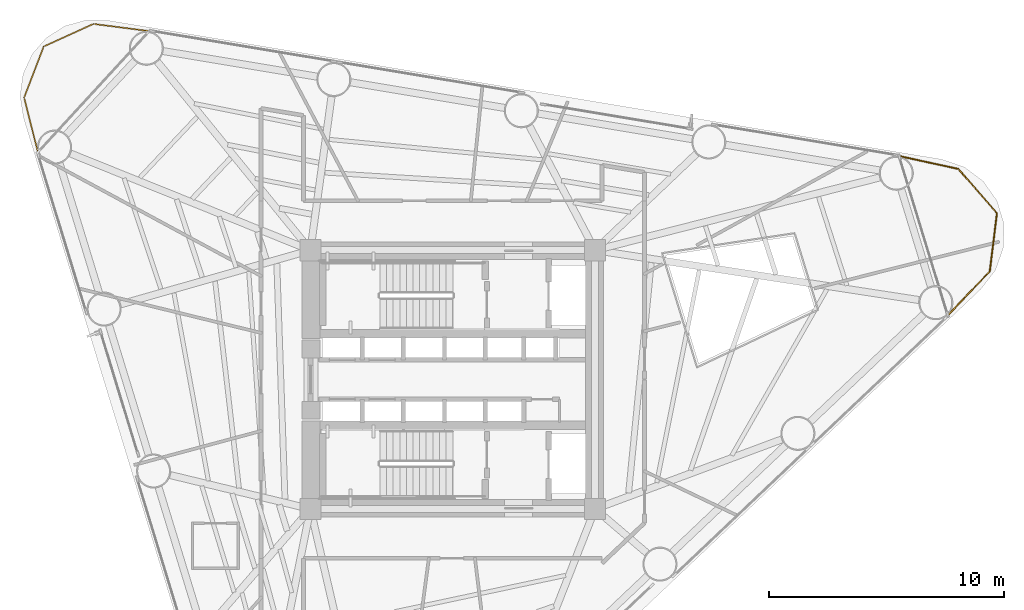
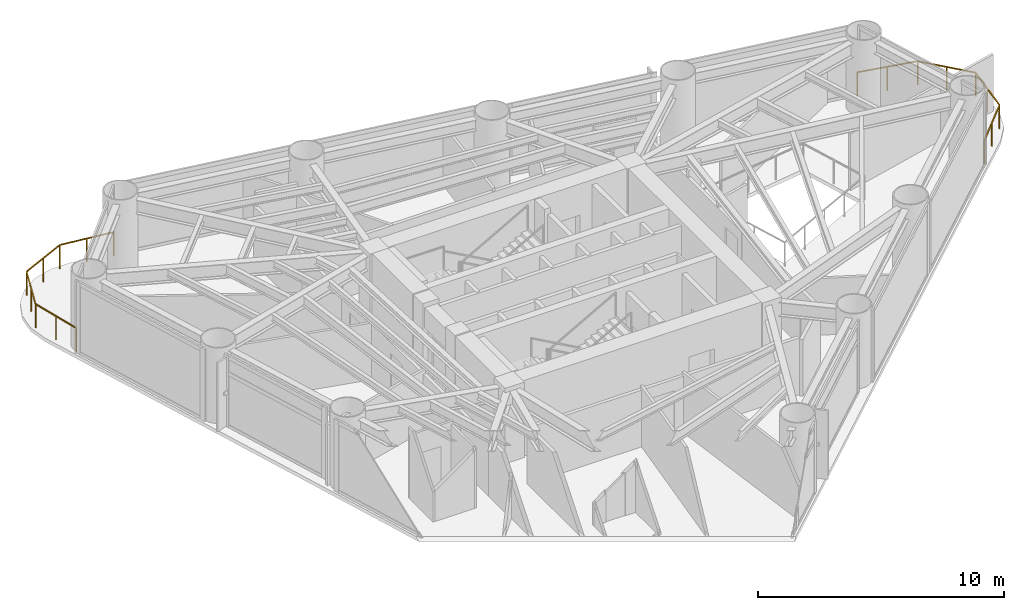
# One storey, part 10 of 10: 2 railings.
"""IFC4 building model written with IfcOpenShell, lengths in metres."""

import ifcopenshell
import ifcopenshell.guid

model = None  # the IFC model being written
_history = None  # IfcOwnerHistory: only IFC2X3 demands one
_inside = {}  # id of a spatial element -> (the spatial element, [elements in it])
_under = {}  # id of a project, library or spatial element -> (it, [spatial elements below it])
_declared = {}  # id of a project -> (the project, [libraries it declares])
_typed = {}  # id of a type object -> (the type object, [elements of that type])
_made_of = {}  # id of a material, layer set ... -> (it, [elements and type objects made of it])


def new_model(schema):
    """Start an empty IFC model of exactly this schema.

    Asked for "IFC4X3", IfcOpenShell would pick the latest addendum, in which some entities
    have other attributes; the version numbers below select the first issue.
    IFC2X3 requires an IfcOwnerHistory on every rooted entity: one is made here for all.
    """
    global model, _history
    if schema == "IFC4X3":
        model = ifcopenshell.file(schema_version=(4, 3, 0, 0))
    else:
        model = ifcopenshell.file(schema=schema)
    _inside.clear()
    _under.clear()
    _declared.clear()
    _typed.clear()
    _made_of.clear()
    _history = None
    if model.schema == "IFC2X3":
        org = make("IfcOrganization", Name="unknown")
        user = make(
            "IfcPersonAndOrganization",
            ThePerson=make("IfcPerson", FamilyName="unknown"),
            TheOrganization=org,
        )
        app = make(
            "IfcApplication",
            ApplicationDeveloper=org,
            Version="unknown",
            ApplicationFullName="unknown",
            ApplicationIdentifier="unknown",
        )
        _history = make(
            "IfcOwnerHistory",
            OwningUser=user,
            OwningApplication=app,
            ChangeAction="ADDED",
            CreationDate=0,
        )
    return model


def make(cls, **values):
    """One entity of the class cls with the attributes given. An attribute that is None is left unset."""
    return model.create_entity(
        cls, **{name: value for name, value in values.items() if value is not None}
    )


def rooted(cls, **values):
    """An entity with a GlobalId (a new one), such as an element, a storey or a relation."""
    return make(cls, GlobalId=ifcopenshell.guid.new(), OwnerHistory=_history, **values)


def si_unit(unit_type, name, prefix=None):
    """IfcSIUnit, for example si_unit("LENGTHUNIT", "METRE", prefix="MILLI")."""
    return make("IfcSIUnit", UnitType=unit_type, Prefix=prefix, Name=name)


def assignment(units):
    """IfcUnitAssignment: the units of a project."""
    return None if units is None else make("IfcUnitAssignment", Units=units)


def point(xyz):
    """IfcCartesianPoint."""
    return None if xyz is None else make("IfcCartesianPoint", Coordinates=xyz)


def direction(xyz):
    """IfcDirection."""
    return None if xyz is None else make("IfcDirection", DirectionRatios=xyz)


def frame(location, z_axis=None, x_axis=None):
    """IfcAxis2Placement3D, a coordinate frame: its origin and axes. An axis left out is left unset."""
    return make(
        "IfcAxis2Placement3D",
        Location=point(location),
        Axis=direction(z_axis),
        RefDirection=direction(x_axis),
    )


def frame_2d(location, x_axis=None):
    """IfcAxis2Placement2D, a coordinate frame in the plane: its origin and x axis."""
    return make(
        "IfcAxis2Placement2D", Location=point(location), RefDirection=direction(x_axis)
    )


def origin():
    """The frame at (0, 0, 0) with its axes left unset."""
    return frame((0.0, 0.0, 0.0))


def origin_2d():
    """The frame at (0, 0) in the plane with its x axis left unset."""
    return frame_2d((0.0, 0.0))


def place(relative_to, where):
    """IfcLocalPlacement: puts the frame where relative to a parent placement (None: the world)."""
    return make(
        "IfcLocalPlacement", PlacementRelTo=relative_to, RelativePlacement=where
    )


def context(
    kind, dimensions, precision=None, world=None, true_north=None, identifier=None
):
    """IfcGeometricRepresentationContext, for example the 3D "Model" context."""
    return make(
        "IfcGeometricRepresentationContext",
        ContextIdentifier=identifier,
        ContextType=kind,
        CoordinateSpaceDimension=dimensions,
        Precision=precision,
        WorldCoordinateSystem=world,
        TrueNorth=true_north,
    )


def subcontext(parent, identifier, kind, view, scale=None):
    """IfcGeometricRepresentationSubContext, for example "Body" below "Model"."""
    return make(
        "IfcGeometricRepresentationSubContext",
        ContextIdentifier=identifier,
        ContextType=kind,
        ParentContext=parent,
        TargetScale=scale,
        TargetView=view,
    )


def project(units=None, contexts=None):
    """IfcProject with its units and contexts."""
    return rooted(
        "IfcProject",
        Name="project",
        RepresentationContexts=contexts,
        UnitsInContext=assignment(units),
    )


def spatial(cls, under=None, at=None, **own):
    """A site, building, storey or space (cls), placed at a placement, below another one or the project."""
    s = rooted(cls, ObjectPlacement=at, **own)
    if under is not None:
        _under.setdefault(under.id(), (under, []))[1].append(s)
    return s


def profile(cls, at=None, kind="AREA", **sizes):
    """A parametric profile (cls). Its sizes go by their IFC names, for example OverallWidth=200.0."""
    return make(cls, ProfileType=kind, Position=at, **sizes)


def rectangle(**sizes):
    """IfcRectangleProfileDef."""
    return profile("IfcRectangleProfileDef", **sizes)


def extrude(swept, where, along, depth):
    """IfcExtrudedAreaSolid: the profile swept, set in the frame where, extruded along a direction by depth."""
    return make(
        "IfcExtrudedAreaSolid",
        SweptArea=swept,
        Position=where,
        ExtrudedDirection=direction(along),
        Depth=depth,
    )


def shape(context_of_items, identifier, shape_type, items):
    """IfcShapeRepresentation: the items that make up one representation, for example the "Body"."""
    return make(
        "IfcShapeRepresentation",
        ContextOfItems=context_of_items,
        RepresentationIdentifier=identifier,
        RepresentationType=shape_type,
        Items=items,
    )


def material(Name=None, Category=None):
    """IfcMaterial."""
    return make("IfcMaterial", Name=Name, Category=Category)


def made_of(thing, what):
    """Note that an element or type object is made of a material, layer set ...; save() writes the relation."""
    if what is not None:
        _made_of.setdefault(what.id(), (what, []))[1].append(thing)
    return thing


def type_object(cls, material=None, **own):
    """A type object (cls), such as IfcWallType, which elements share."""
    return made_of(rooted(cls, **own), material)


def element(
    cls,
    number,
    at=None,
    inside=None,
    cuts=None,
    type_object=None,
    material=None,
    context=None,
    identifier="Body",
    shape_type=None,
    held_by="IfcProductDefinitionShape",
    body=None,
    shapes=None,
    **own,
):
    """One element of the class cls, such as IfcWall. Its Tag is "e" and its number.

    at: its placement. inside: the storey or other place that contains it. cuts: it is an
    opening in that element (IfcRelVoidsElement). A single representation is given by context,
    identifier, shape_type and body (its items); several are given by shapes. held_by: the class
    of the entity that holds the representations. save() writes the other relations.
    """
    e = rooted(cls, Tag="e%d" % number, ObjectPlacement=at, **own)
    if body is not None:
        shapes = [shape(context, identifier, shape_type, body)]
    if shapes is not None:
        e.Representation = make(held_by, Representations=shapes)
    if inside is not None:
        _inside.setdefault(inside.id(), (inside, []))[1].append(e)
    if cuts is not None:
        rooted(
            "IfcRelVoidsElement", RelatingBuildingElement=cuts, RelatedOpeningElement=e
        )
    if type_object is not None:
        _typed.setdefault(type_object.id(), (type_object, []))[1].append(e)
    return made_of(e, material)


def aggregate(whole, parts):
    """IfcRelAggregates: a whole, such as a stair, and the parts it consists of."""
    return rooted("IfcRelAggregates", RelatingObject=whole, RelatedObjects=parts)


def save(model, path):
    """Write the relations noted so far, then the file.

    IfcRelAggregates (storeys below a building ...), IfcRelContainedInSpatialStructure (elements
    in a storey), IfcRelDefinesByType, IfcRelAssociatesMaterial and IfcRelDeclares: one each for
    every whole, place, type object, material and project.
    """
    for whole, parts in _under.values():
        aggregate(whole, parts)
    for where, things in _inside.values():
        rooted(
            "IfcRelContainedInSpatialStructure",
            RelatedElements=things,
            RelatingStructure=where,
        )
    for kind, things in _typed.values():
        rooted("IfcRelDefinesByType", RelatedObjects=things, RelatingType=kind)
    for what, things in _made_of.values():
        rooted("IfcRelAssociatesMaterial", RelatedObjects=things, RelatingMaterial=what)
    for by, libraries in _declared.values():
        rooted("IfcRelDeclares", RelatingContext=by, RelatedDefinitions=libraries)
    model.write(path)


model = new_model("IFC4")

# Units and contexts
model_context = context("Model", 3, precision=1e-05, world=origin(), true_north=direction((0.0, 1.0)))
body_context = subcontext(model_context, "Body", "Model", "MODEL_VIEW")
ifc_project = project(units=[si_unit("LENGTHUNIT", "METRE"), si_unit("AREAUNIT", "SQUARE_METRE"), si_unit("VOLUMEUNIT", "CUBIC_METRE"), si_unit("PLANEANGLEUNIT", "RADIAN"), si_unit("MASSUNIT", "GRAM", prefix="KILO")], contexts=[model_context])

# Site, building, storey
site_placement = place(None, origin())
site = spatial("IfcSite", under=ifc_project, at=site_placement, CompositionType="ELEMENT")
building_placement = place(site_placement, origin())
building = spatial("IfcBuilding", under=site, at=building_placement, Name="Yunling Apex Tower", CompositionType="ELEMENT")
storey_placement = place(building_placement, frame((0.0, 0.0, 116.14990234375)))
storey = spatial("IfcBuildingStorey", under=building, at=storey_placement, Name="L29", CompositionType="ELEMENT", Elevation=116.14990234375)

# Railings
ifc_material = material(Name="Bronze anodised aluminium", Category="aluminium")
railing_type = type_object("IfcRailingType", Name="RL-BAL-1200", PredefinedType="BALUSTRADE", material=ifc_material)
railing_1_placement = place(storey_placement, frame((18.976806640625, 9.5029296875, 0.0)))
element("IfcRailing", 1, at=railing_1_placement, inside=storey, type_object=railing_type, Name="RL-CRNSILL-L29-1", PredefinedType="BALUSTRADE", context=body_context, shape_type="SweptSolid", body=[
    extrude(rectangle(XDim=0.0439453125, YDim=0.0439453125, at=origin_2d()), origin(), (0.0, 0.0, 1.0), 1.199951171875),
    extrude(rectangle(XDim=0.0439453125, YDim=0.0439453125, at=origin_2d()), frame((2.5205078125, -0.54833984375, 0.0)), (0.0, 0.0, 1.0), 1.199951171875),
    extrude(rectangle(XDim=0.050048828125, YDim=0.050048828125, at=origin_2d()), frame((0.037353515625, -0.008056640625, 1.1748046875), z_axis=(0.977143892078, -0.212578959861, 0.0), x_axis=(0.212578959861, 0.977143892078, 0.0)), (0.0, 0.0, 1.0), 2.502685546875),
    extrude(rectangle(XDim=0.0439453125, YDim=0.0439453125, at=origin_2d()), frame((1.26025390625, -0.274169921875, 0.0)), (0.0, 0.0, 1.0), 1.14599609375),
    extrude(rectangle(XDim=0.0439453125, YDim=0.0439453125, at=origin_2d()), frame((4.156005859375, -2.430419921875, 0.0)), (0.0, 0.0, 1.0), 1.199951171875),
    extrude(rectangle(XDim=0.050048828125, YDim=0.050048828125, at=origin_2d()), frame((2.545654296875, -0.577392578125, 1.1748046875), z_axis=(0.655928991852, -0.754822600117, 0.0), x_axis=(0.754822600117, 0.655928991852, 0.0)), (0.0, 0.0, 1.0), 2.416748046875),
    extrude(rectangle(XDim=0.0439453125, YDim=0.0439453125, at=origin_2d()), frame((3.33837890625, -1.4892578125, 0.0)), (0.0, 0.0, 1.0), 1.14599609375),
    extrude(rectangle(XDim=0.0439453125, YDim=0.0439453125, at=origin_2d()), frame((3.8525390625, -4.905517578125, 0.0)), (0.0, 0.0, 1.0), 1.199951171875),
    extrude(rectangle(XDim=0.050048828125, YDim=0.050048828125, at=origin_2d()), frame((4.1513671875, -2.468505859375, 1.1748046875), z_axis=(-0.121696705052, -0.992567333726, 0.0), x_axis=(0.992567333726, -0.121696705052, 0.0)), (0.0, 0.0, 1.0), 2.4169921875),
    extrude(rectangle(XDim=0.0439453125, YDim=0.0439453125, at=origin_2d()), frame((4.00439453125, -3.66796875, 0.0)), (0.0, 0.0, 1.0), 1.14599609375),
    extrude(rectangle(XDim=0.0439453125, YDim=0.0439453125, at=origin_2d()), frame((2.06982421875, -6.76953125, 0.0)), (0.0, 0.0, 1.0), 1.199951171875),
    extrude(rectangle(XDim=0.050048828125, YDim=0.050048828125, at=origin_2d()), frame((3.825927734375, -4.93310546875, 1.1748046875), z_axis=(-0.691171065155, -0.722691191791, 0.0), x_axis=(0.722691191791, -0.691171065155, 0.0)), (0.0, 0.0, 1.0), 2.502685546875),
    extrude(rectangle(XDim=0.0439453125, YDim=0.0439453125, at=origin_2d()), frame((2.961181640625, -5.83740234375, 0.0)), (0.0, 0.0, 1.0), 1.14599609375),
])
railing_2_placement = place(storey_placement, frame((-17.63525390625, 9.6669921875, 0.0)))
element("IfcRailing", 2, at=railing_2_placement, inside=storey, type_object=railing_type, Name="RL-CRNSILL-L29-2", PredefinedType="BALUSTRADE", context=body_context, shape_type="SweptSolid", body=[
    extrude(rectangle(XDim=0.0439453125, YDim=0.0439453125, at=origin_2d()), origin(), (0.0, 0.0, 1.0), 1.199951171875),
    extrude(rectangle(XDim=0.0439453125, YDim=0.0439453125, at=origin_2d()), frame((-0.58642578125, 2.31884765625, 0.0)), (0.0, 0.0, 1.0), 1.199951171875),
    extrude(rectangle(XDim=0.050048828125, YDim=0.050048828125, at=origin_2d()), frame((-0.00927734375, 0.037109375, 1.1748046875), z_axis=(-0.245176585422, 0.96947843811, 0.0), x_axis=(-0.96947843811, -0.245176585422, 0.0)), (0.0, 0.0, 1.0), 2.315185546875),
    extrude(rectangle(XDim=0.0439453125, YDim=0.0439453125, at=origin_2d()), frame((-0.293212890625, 1.159423828125, 0.0)), (0.0, 0.0, 1.0), 1.14599609375),
    extrude(rectangle(XDim=0.0439453125, YDim=0.0439453125, at=origin_2d()), frame((0.2470703125, 4.49267578125, 0.0)), (0.0, 0.0, 1.0), 1.199951171875),
    extrude(rectangle(XDim=0.050048828125, YDim=0.050048828125, at=origin_2d()), frame((-0.57275390625, 2.354736328125, 1.1748046875), z_axis=(0.358009154452, 0.933718075935, 0.0), x_axis=(-0.933718075935, 0.358009154452, 0.0)), (0.0, 0.0, 1.0), 2.25146484375),
    extrude(rectangle(XDim=0.0439453125, YDim=0.0439453125, at=origin_2d()), frame((-0.169677734375, 3.40576171875, 0.0)), (0.0, 0.0, 1.0), 1.14599609375),
    extrude(rectangle(XDim=0.0439453125, YDim=0.0439453125, at=origin_2d()), frame((2.359375, 5.453369140625, 0.0)), (0.0, 0.0, 1.0), 1.199951171875),
    extrude(rectangle(XDim=0.050048828125, YDim=0.050048828125, at=origin_2d()), frame((0.281982421875, 4.508544921875, 1.1748046875), z_axis=(0.910276378893, 0.4140011039, 0.0), x_axis=(-0.4140011039, 0.910276378893, 0.0)), (0.0, 0.0, 1.0), 2.243896484375),
    extrude(rectangle(XDim=0.0439453125, YDim=0.0439453125, at=origin_2d()), frame((1.30322265625, 4.97314453125, 0.0)), (0.0, 0.0, 1.0), 1.14599609375),
    extrude(rectangle(XDim=0.0439453125, YDim=0.0439453125, at=origin_2d()), frame((4.732666015625, 5.14794921875, 0.0)), (0.0, 0.0, 1.0), 1.199951171875),
    extrude(rectangle(XDim=0.050048828125, YDim=0.050048828125, at=origin_2d()), frame((2.3974609375, 5.448486328125, 1.1748046875), z_axis=(0.991820835982, -0.127637883532, 0.0), x_axis=(0.127637883532, 0.991820835982, 0.0)), (0.0, 0.0, 1.0), 2.316162109375),
    extrude(rectangle(XDim=0.0439453125, YDim=0.0439453125, at=origin_2d()), frame((3.5458984375, 5.30078125, 0.0)), (0.0, 0.0, 1.0), 1.14599609375),
])

save(model, "model.ifc")
